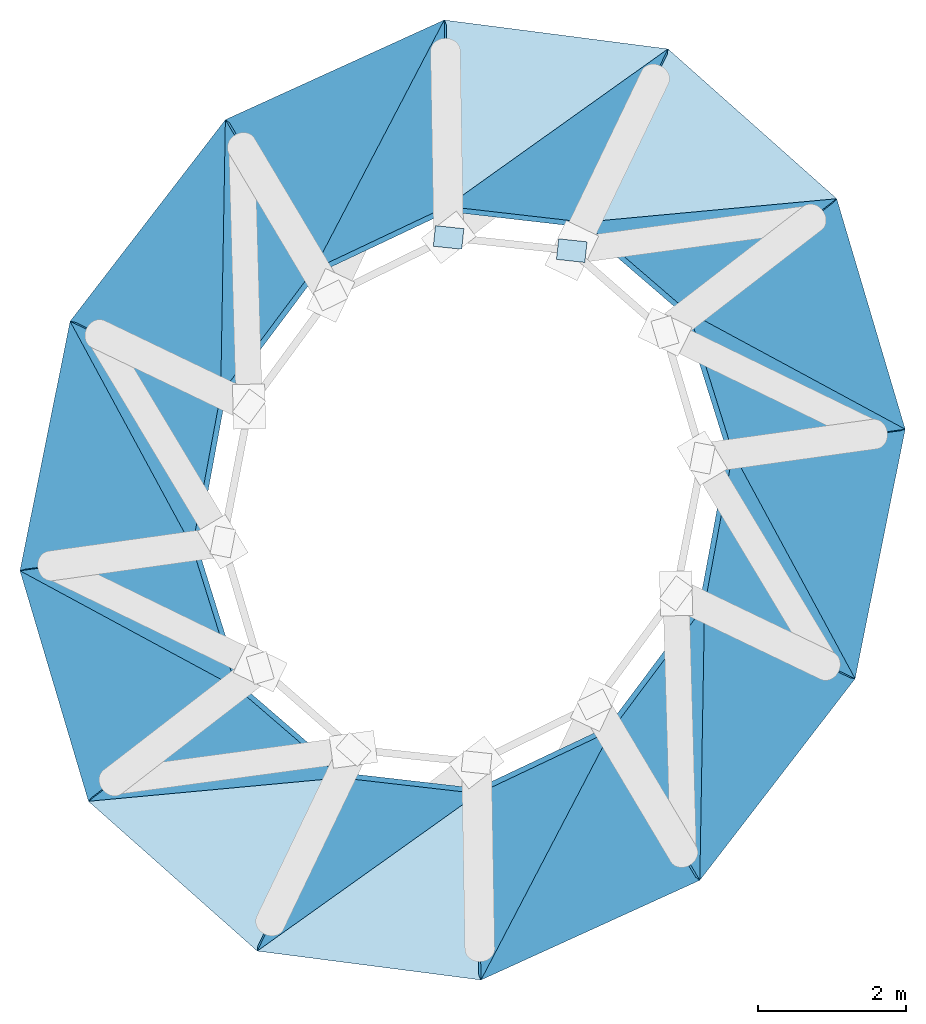
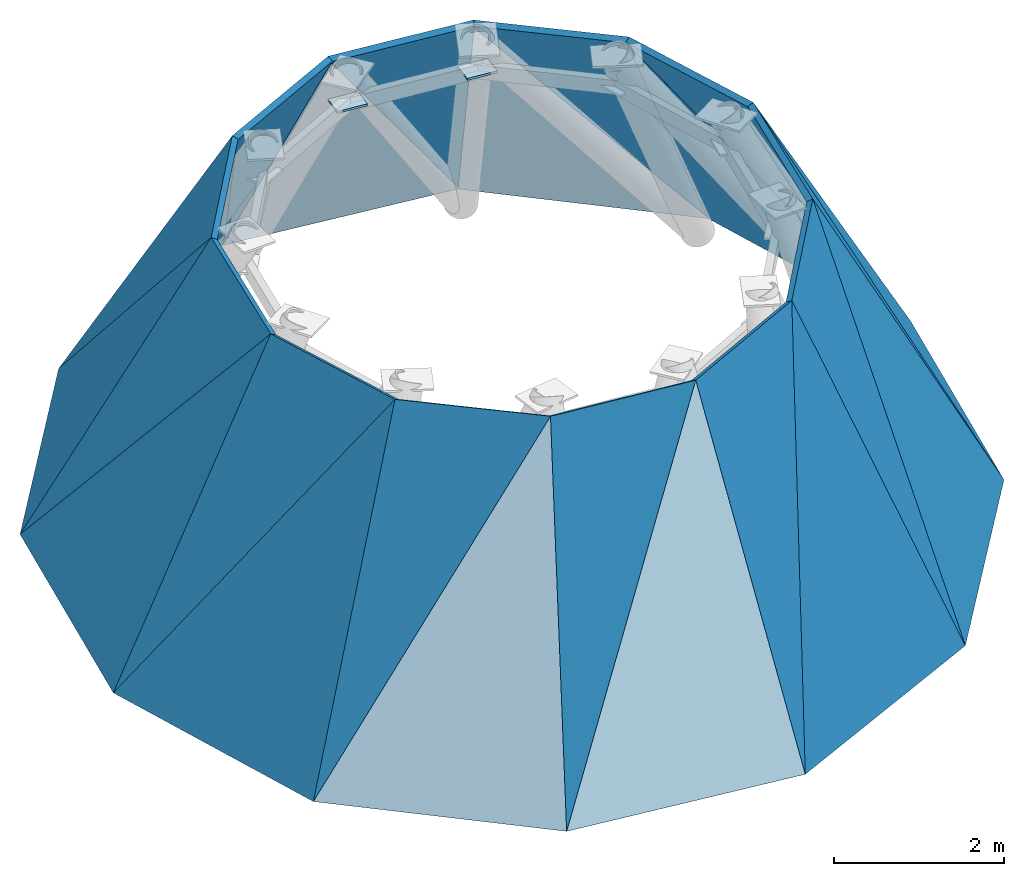
# One storey, part 2 of 2: 24 roofs, 2 plates.
"""IFC4 building model written with IfcOpenShell, lengths in metres."""

from ifc_helpers import new_model, si_unit, direction, frame, origin, origin_2d, place, context, subcontext, project, spatial, polyline, rectangle, outline, extrude, material, layer, layer_set, type_object, element, save


model = new_model("IFC4")

# Units and contexts
model_context = context("Model", 3, precision=1e-05, world=origin(), true_north=direction((0.0, 1.0)))
body_context = subcontext(model_context, "Body", "Model", "MODEL_VIEW")
ifc_project = project(units=[si_unit("LENGTHUNIT", "METRE"), si_unit("AREAUNIT", "SQUARE_METRE"), si_unit("VOLUMEUNIT", "CUBIC_METRE"), si_unit("PLANEANGLEUNIT", "RADIAN"), si_unit("MASSUNIT", "GRAM", prefix="KILO")], contexts=[model_context])

# Site, building, storey
site_placement = place(None, origin())
site = spatial("IfcSite", under=ifc_project, at=site_placement, CompositionType="ELEMENT")
building_placement = place(site_placement, origin())
building = spatial("IfcBuilding", under=site, at=building_placement, Name="Veldorim Arch Residences", CompositionType="ELEMENT")
storey_placement = place(building_placement, frame((0.0, 0.0, 263.52001953125)))
storey = spatial("IfcBuildingStorey", under=building, at=storey_placement, Name="L78", CompositionType="ELEMENT", Elevation=263.52001953125)

# Plates
ifc_material_1 = material(Name="Steel S460", Category="steel")
ifc_layer_1 = layer(ifc_material_1, 0.028076171875, Name="Welded Crown Rib End-Cap Gusset Plate 28")
ifc_layer_set_1 = layer_set([ifc_layer_1], Name="Steel S460")
plate_type = type_object("IfcPlateType", Name="Welded Crown Rib End-Cap Gusset Plate 28", PredefinedType="USERDEFINED", material=ifc_layer_set_1)
for number, where, z_axis, x_axis, name in (
    (1, (33.4755859375, 27.37109375, 3.72607421875), (0.0, 0.0, 1.0), (-0.994332378796, 0.106316134604, 0.0), "L78 crown ring purlin 01 welded joint gusset plate 1"),
    (2, (31.810791015625, 27.549072265625, 3.72607421875), (0.0, 0.0, 1.0), (-0.994332378796, 0.106316134604, 0.0), "L78 crown ring purlin 01 welded joint gusset plate 2"),
):
    element("IfcPlate", number, at=place(storey_placement, frame(where, z_axis=z_axis, x_axis=x_axis)), inside=storey, type_object=plate_type, Name=name, ObjectType="GUSSET PLATE", PredefinedType="USERDEFINED", context=body_context, shape_type="SweptSolid", body=[
        extrude(rectangle(XDim=0.385986328125, YDim=0.280029296875, at=origin_2d()), origin(), (0.0, 0.0, 1.0), 0.028076171875),
    ])

# Roofs
ifc_material_2 = material(Name="Laminated Low-E Glass", Category="glass")
ifc_layer_2 = layer(ifc_material_2, 0.080078125, Name="Glass-Point Crown Laminated Double-Glazed Roof Facet")
ifc_layer_set_2 = layer_set([ifc_layer_2], Name="Laminated Low-E Glass")
roof_type = type_object("IfcRoofType", Name="Glass-Point Crown Laminated Double-Glazed Roof Facet", PredefinedType="PAVILION_ROOF", material=ifc_layer_set_2)
roof_1_placement = place(storey_placement, frame((34.7763671875, 30.09765625, 0.0), z_axis=(0.109971210235, 0.850526401254, 0.51430649781), x_axis=(-0.991744406058, 0.128230390517, 0.0)))
element("IfcRoof", 3, at=roof_1_placement, inside=storey, type_object=roof_type, Name="L78 tapering glass-point crown facet 01A", PredefinedType="PAVILION_ROOF", context=body_context, shape_type="SweptSolid", body=[
    extrude(outline(polyline([(0.0, 0.0), (3.0500825870776653, 0.0), (2.6901051771588156, 4.850607292242758), (0.0, 0.0)])), origin(), (0.0, 0.0, -1.0), 0.080078125),
])
roof_2_placement = place(storey_placement, frame((34.7763671875, 30.09765625, 0.0), z_axis=(0.098052262307, 0.855565090163, 0.508324827597), x_axis=(-0.538668573509, -0.383864081514, 0.74998968982)))
element("IfcRoof", 4, at=roof_2_placement, inside=storey, type_object=roof_type, Name="L78 tapering glass-point crown facet 01B", PredefinedType="PAVILION_ROOF", context=body_context, shape_type="SweptSolid", body=[
    extrude(outline(polyline([(0.0, 0.0), (5.546625728110316, -4.440892098500626e-16), (4.62877037076899, 1.626506794496548), (0.0, 0.0)])), origin(), (0.0, 0.0, -1.0), 0.080078125),
])
roof_3_placement = place(storey_placement, frame((31.75146484375, 30.48876953125, 0.0), z_axis=(-0.361420487726, 0.793357255395, 0.489856607962), x_axis=(-0.910018935771, -0.414566685273, 0.0)))
element("IfcRoof", 5, at=roof_3_placement, inside=storey, type_object=roof_type, Name="L78 tapering glass-point crown facet 03A", PredefinedType="PAVILION_ROOF", context=body_context, shape_type="SweptSolid", body=[
    extrude(outline(polyline([(0.0, 0.0), (3.2507586785751936, 0.0), (3.0007405836853276, 4.771619298785185), (0.0, 0.0)])), origin(), (0.0, 0.0, -1.0), 0.080078125),
])
roof_4_placement = place(storey_placement, frame((31.75146484375, 30.48876953125, 0.0), z_axis=(-0.37441250374, 0.791584312067, 0.482917750692), x_axis=(-0.312542345993, -0.598057748541, 0.738000143206)))
element("IfcRoof", 6, at=roof_4_placement, inside=storey, type_object=roof_type, Name="L78 tapering glass-point crown facet 03B", PredefinedType="PAVILION_ROOF", context=body_context, shape_type="SweptSolid", body=[
    extrude(outline(polyline([(0.0, 0.0), (5.63673618179132, -4.440892098500626e-16), (4.565680698651706, 1.677061297976248), (0.0, 0.0)])), origin(), (0.0, 0.0, -1.0), 0.080078125),
])
roof_5_placement = place(storey_placement, frame((28.793212890625, 29.14111328125, 0.0), z_axis=(-0.699416506968, 0.538706721035, 0.469693110969), x_axis=(-0.610204533987, -0.79224391869, 0.0)))
element("IfcRoof", 7, at=roof_5_placement, inside=storey, type_object=roof_type, Name="L78 tapering glass-point crown facet 05A", PredefinedType="PAVILION_ROOF", context=body_context, shape_type="SweptSolid", body=[
    extrude(outline(polyline([(0.0, 0.0), (3.4400286737206205, 0.0), (2.977883234342747, 4.712020717417146), (0.0, 0.0)])), origin(), (0.0, 0.0, -1.0), 0.080078125),
])
roof_6_placement = place(storey_placement, frame((28.793212890625, 29.14111328125, 0.0), z_axis=(-0.710211532871, 0.530782095364, 0.462460750571), x_axis=(-0.011431505996, -0.665523883572, 0.746289006395)))
element("IfcRoof", 8, at=roof_6_placement, inside=storey, type_object=roof_type, Name="L78 tapering glass-point crown facet 05B", PredefinedType="PAVILION_ROOF", context=body_context, shape_type="SweptSolid", body=[
    extrude(outline(polyline([(0.0, 0.0), (5.574130228004009, -2.220446049250313e-16), (4.437464481475369, 1.7719392641837697), (0.0, 0.0)])), origin(), (0.0, 0.0, -1.0), 0.080078125),
])
roof_7_placement = place(storey_placement, frame((26.694091796875, 26.415771484375, 0.0), z_axis=(-0.864916480811, 0.173684545951, 0.470906742062), x_axis=(-0.196880405236, -0.980427511871, 0.0)))
element("IfcRoof", 9, at=roof_7_placement, inside=storey, type_object=roof_type, Name="L78 tapering glass-point crown facet 07A", PredefinedType="PAVILION_ROOF", context=body_context, shape_type="SweptSolid", body=[
    extrude(outline(polyline([(0.0, 0.0), (3.439885716092413, 5.551115123125783e-17), (2.669011671039005, 4.715475273604841), (0.0, 0.0)])), origin(), (0.0, 0.0, -1.0), 0.080078125),
])
roof_8_placement = place(storey_placement, frame((26.694091796875, 26.415771484375, 0.0), z_axis=(-0.870830158992, 0.161489325225, 0.464301660592), x_axis=(0.304813908746, -0.563624121879, 0.767734544143)))
element("IfcRoof", 10, at=roof_8_placement, inside=storey, type_object=roof_type, Name="L78 tapering glass-point crown facet 07B", PredefinedType="PAVILION_ROOF", context=body_context, shape_type="SweptSolid", body=[
    extrude(outline(polyline([(0.0, 0.0), (5.418425080788795, 2.220446049250313e-16), (4.368944070872741, 1.8245671689724359), (0.0, 0.0)])), origin(), (0.0, 0.0, -1.0), 0.080078125),
])
roof_9_placement = place(storey_placement, frame((26.016845703125, 23.043212890625, 0.0), z_axis=(-0.834369411552, -0.247879098136, 0.492324727973), x_axis=(0.284783769764, -0.95859178198, 0.0)))
element("IfcRoof", 11, at=roof_9_placement, inside=storey, type_object=roof_type, Name="L78 tapering glass-point crown facet 09A", PredefinedType="PAVILION_ROOF", context=body_context, shape_type="SweptSolid", body=[
    extrude(outline(polyline([(0.0, 0.0), (3.250821669954566, 0.0), (2.3476122595745808, 4.779247065621043), (0.0, 0.0)])), origin(), (0.0, 0.0, -1.0), 0.080078125),
])
roof_10_placement = place(storey_placement, frame((26.016845703125, 23.043212890625, 0.0), z_axis=(-0.833588392464, -0.261286770484, 0.486682253137), x_axis=(0.549151950537, -0.296790563232, 0.781247397946)))
element("IfcRoof", 12, at=roof_10_placement, inside=storey, type_object=roof_type, Name="L78 tapering glass-point crown facet 09B", PredefinedType="PAVILION_ROOF", context=body_context, shape_type="SweptSolid", body=[
    extrude(outline(polyline([(0.0, 0.0), (5.324705234616487, 2.220446049250313e-16), (4.434258590029988, 1.779692278474261), (0.0, 0.0)])), origin(), (0.0, 0.0, -1.0), 0.080078125),
])
roof_11_placement = place(storey_placement, frame((26.942626953125, 19.927001953125, 0.0), z_axis=(-0.568801761166, -0.640819348195, 0.515572613192), x_axis=(0.747881684558, -0.663832046456, 0.0)))
element("IfcRoof", 13, at=roof_11_placement, inside=storey, type_object=roof_type, Name="L78 tapering glass-point crown facet 11A", PredefinedType="PAVILION_ROOF", context=body_context, shape_type="SweptSolid", body=[
    extrude(outline(polyline([(0.0, 0.0), (3.0499555029515486, -1.1102230246251565e-16), (2.3422402352201295, 4.8549128311095515), (0.0, 0.0)])), origin(), (0.0, 0.0, -1.0), 0.080078125),
])
roof_12_placement = place(storey_placement, frame((26.942626953125, 19.927001953125, 0.0), z_axis=(-0.561265033236, -0.651661084262, 0.510215046548), x_axis=(0.633225465725, 0.058834123452, 0.771727967276)))
element("IfcRoof", 14, at=roof_12_placement, inside=storey, type_object=roof_type, Name="L78 tapering glass-point crown facet 11B", PredefinedType="PAVILION_ROOF", context=body_context, shape_type="SweptSolid", body=[
    extrude(outline(polyline([(0.0, 0.0), (5.390386620378562, 0.0), (4.566051938965055, 1.675756379644658), (0.0, 0.0)])), origin(), (0.0, 0.0, -1.0), 0.080078125),
])
roof_13_placement = place(storey_placement, frame((29.2236328125, 17.90234375, 0.0), z_axis=(-0.109971210235, -0.850526401254, 0.51430649781), x_axis=(0.991744406058, -0.128230390517, 0.0)))
element("IfcRoof", 15, at=roof_13_placement, inside=storey, type_object=roof_type, Name="L78 tapering glass-point crown facet 13A", PredefinedType="PAVILION_ROOF", context=body_context, shape_type="SweptSolid", body=[
    extrude(outline(polyline([(0.0, 0.0), (3.0500825870776653, 0.0), (2.6901051771588156, 4.850607292242758), (0.0, 0.0)])), origin(), (0.0, 0.0, -1.0), 0.080078125),
])
roof_14_placement = place(storey_placement, frame((29.2236328125, 17.90234375, 0.0), z_axis=(-0.098052262307, -0.855565090163, 0.508324827597), x_axis=(0.538668573509, 0.383864081514, 0.74998968982)))
element("IfcRoof", 16, at=roof_14_placement, inside=storey, type_object=roof_type, Name="L78 tapering glass-point crown facet 13B", PredefinedType="PAVILION_ROOF", context=body_context, shape_type="SweptSolid", body=[
    extrude(outline(polyline([(0.0, 0.0), (5.546625728110316, -4.440892098500626e-16), (4.62877037076899, 1.626506794496548), (0.0, 0.0)])), origin(), (0.0, 0.0, -1.0), 0.080078125),
])
roof_15_placement = place(storey_placement, frame((32.24853515625, 17.51123046875, 0.0), z_axis=(0.361420487726, -0.793357255395, 0.489856607962), x_axis=(0.910018935771, 0.414566685273, 0.0)))
element("IfcRoof", 17, at=roof_15_placement, inside=storey, type_object=roof_type, Name="L78 tapering glass-point crown facet 15A", PredefinedType="PAVILION_ROOF", context=body_context, shape_type="SweptSolid", body=[
    extrude(outline(polyline([(0.0, 0.0), (3.2507586785751936, 0.0), (3.0007405836853276, 4.771619298785185), (0.0, 0.0)])), origin(), (0.0, 0.0, -1.0), 0.080078125),
])
roof_16_placement = place(storey_placement, frame((32.24853515625, 17.51123046875, 0.0), z_axis=(0.37441250374, -0.791584312067, 0.482917750692), x_axis=(0.312542345993, 0.598057748541, 0.738000143206)))
element("IfcRoof", 18, at=roof_16_placement, inside=storey, type_object=roof_type, Name="L78 tapering glass-point crown facet 15B", PredefinedType="PAVILION_ROOF", context=body_context, shape_type="SweptSolid", body=[
    extrude(outline(polyline([(0.0, 0.0), (5.63673618179132, -4.440892098500626e-16), (4.565680698651706, 1.677061297976248), (0.0, 0.0)])), origin(), (0.0, 0.0, -1.0), 0.080078125),
])
roof_17_placement = place(storey_placement, frame((35.206787109375, 18.85888671875, 0.0), z_axis=(0.699416506968, -0.538706721035, 0.469693110969), x_axis=(0.610204533987, 0.79224391869, 0.0)))
element("IfcRoof", 19, at=roof_17_placement, inside=storey, type_object=roof_type, Name="L78 tapering glass-point crown facet 17A", PredefinedType="PAVILION_ROOF", context=body_context, shape_type="SweptSolid", body=[
    extrude(outline(polyline([(0.0, 0.0), (3.4400286737206205, 0.0), (2.977883234342747, 4.712020717417146), (0.0, 0.0)])), origin(), (0.0, 0.0, -1.0), 0.080078125),
])
roof_18_placement = place(storey_placement, frame((35.206787109375, 18.85888671875, 0.0), z_axis=(0.710211532871, -0.530782095364, 0.462460750571), x_axis=(0.011431505996, 0.665523883572, 0.746289006395)))
element("IfcRoof", 20, at=roof_18_placement, inside=storey, type_object=roof_type, Name="L78 tapering glass-point crown facet 17B", PredefinedType="PAVILION_ROOF", context=body_context, shape_type="SweptSolid", body=[
    extrude(outline(polyline([(0.0, 0.0), (5.574130228004009, -2.220446049250313e-16), (4.437464481475369, 1.7719392641837697), (0.0, 0.0)])), origin(), (0.0, 0.0, -1.0), 0.080078125),
])
roof_19_placement = place(storey_placement, frame((37.305908203125, 21.584228515625, 0.0), z_axis=(0.864916480811, -0.173684545951, 0.470906742062), x_axis=(0.196880405236, 0.980427511871, 0.0)))
element("IfcRoof", 21, at=roof_19_placement, inside=storey, type_object=roof_type, Name="L78 tapering glass-point crown facet 19A", PredefinedType="PAVILION_ROOF", context=body_context, shape_type="SweptSolid", body=[
    extrude(outline(polyline([(0.0, 0.0), (3.439885716092413, 5.551115123125783e-17), (2.669011671039005, 4.715475273604841), (0.0, 0.0)])), origin(), (0.0, 0.0, -1.0), 0.080078125),
])
roof_20_placement = place(storey_placement, frame((37.305908203125, 21.584228515625, 0.0), z_axis=(0.870830158992, -0.161489325225, 0.464301660592), x_axis=(-0.304813908746, 0.563624121879, 0.767734544143)))
element("IfcRoof", 22, at=roof_20_placement, inside=storey, type_object=roof_type, Name="L78 tapering glass-point crown facet 19B", PredefinedType="PAVILION_ROOF", context=body_context, shape_type="SweptSolid", body=[
    extrude(outline(polyline([(0.0, 0.0), (5.418425080788795, 2.220446049250313e-16), (4.368944070872741, 1.8245671689724359), (0.0, 0.0)])), origin(), (0.0, 0.0, -1.0), 0.080078125),
])
roof_21_placement = place(storey_placement, frame((37.983154296875, 24.956787109375, 0.0), z_axis=(0.834369411552, 0.247879098136, 0.492324727973), x_axis=(-0.284783769764, 0.95859178198, 0.0)))
element("IfcRoof", 23, at=roof_21_placement, inside=storey, type_object=roof_type, Name="L78 tapering glass-point crown facet 21A", PredefinedType="PAVILION_ROOF", context=body_context, shape_type="SweptSolid", body=[
    extrude(outline(polyline([(0.0, 0.0), (3.250821669954566, 0.0), (2.3476122595745808, 4.779247065621043), (0.0, 0.0)])), origin(), (0.0, 0.0, -1.0), 0.080078125),
])
roof_22_placement = place(storey_placement, frame((37.983154296875, 24.956787109375, 0.0), z_axis=(0.833588392464, 0.261286770484, 0.486682253137), x_axis=(-0.549151950537, 0.296790563232, 0.781247397946)))
element("IfcRoof", 24, at=roof_22_placement, inside=storey, type_object=roof_type, Name="L78 tapering glass-point crown facet 21B", PredefinedType="PAVILION_ROOF", context=body_context, shape_type="SweptSolid", body=[
    extrude(outline(polyline([(0.0, 0.0), (5.324705234616487, 2.220446049250313e-16), (4.434258590029988, 1.779692278474261), (0.0, 0.0)])), origin(), (0.0, 0.0, -1.0), 0.080078125),
])
roof_23_placement = place(storey_placement, frame((37.057373046875, 28.072998046875, 0.0), z_axis=(0.568801761166, 0.640819348195, 0.515572613192), x_axis=(-0.747881684558, 0.663832046456, 0.0)))
element("IfcRoof", 25, at=roof_23_placement, inside=storey, type_object=roof_type, Name="L78 tapering glass-point crown facet 23A", PredefinedType="PAVILION_ROOF", context=body_context, shape_type="SweptSolid", body=[
    extrude(outline(polyline([(0.0, 0.0), (3.0499555029515486, -1.1102230246251565e-16), (2.3422402352201295, 4.8549128311095515), (0.0, 0.0)])), origin(), (0.0, 0.0, -1.0), 0.080078125),
])
roof_24_placement = place(storey_placement, frame((37.057373046875, 28.072998046875, 0.0), z_axis=(0.561265033236, 0.651661084262, 0.510215046548), x_axis=(-0.633225465725, -0.058834123452, 0.771727967276)))
element("IfcRoof", 26, at=roof_24_placement, inside=storey, type_object=roof_type, Name="L78 tapering glass-point crown facet 23B", PredefinedType="PAVILION_ROOF", context=body_context, shape_type="SweptSolid", body=[
    extrude(outline(polyline([(0.0, 0.0), (5.390386620378562, 0.0), (4.566051938965055, 1.675756379644658), (0.0, 0.0)])), origin(), (0.0, 0.0, -1.0), 0.080078125),
])

save(model, "model.ifc")
